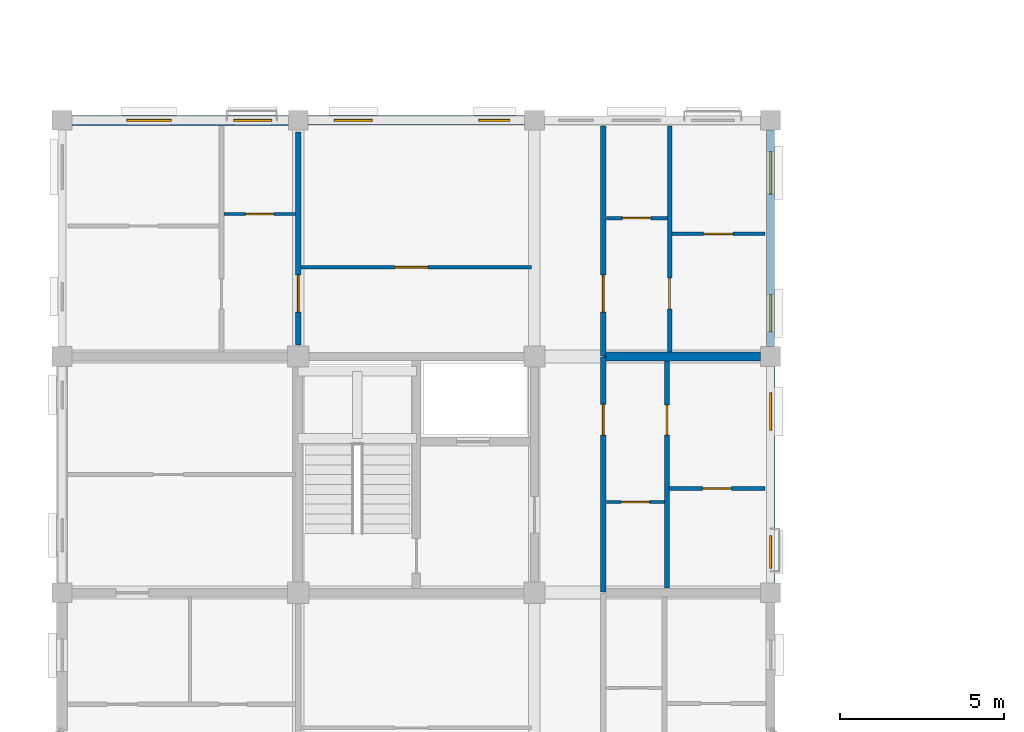
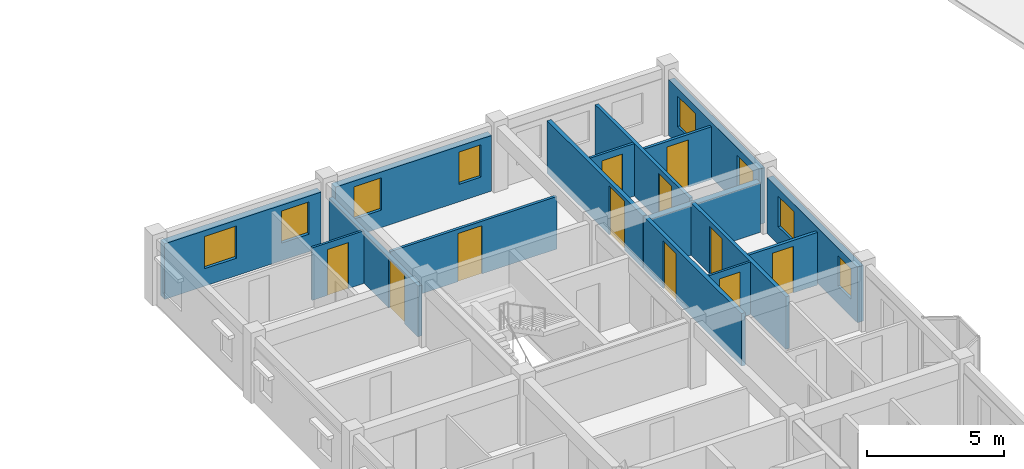
# One storey, part 98 of 124: 16 walls, 11 doors, 8 windows, 19 openings.
"""IFC4 building model written with IfcOpenShell, lengths in metres."""

from ifc_helpers import new_model, si_unit, direction, frame, frame_2d, origin, place, context, subcontext, project, spatial, rectangle, extrude, material, layer, layer_set, type_object, element, fill, save


model = new_model("IFC4")

# Units and contexts
model_context = context("Model", 3, precision=1e-05, world=origin(), true_north=direction((0.0, 1.0)))
body_context = subcontext(model_context, "Body", "Model", "MODEL_VIEW")
ifc_project = project(units=[si_unit("LENGTHUNIT", "METRE"), si_unit("AREAUNIT", "SQUARE_METRE"), si_unit("VOLUMEUNIT", "CUBIC_METRE"), si_unit("PLANEANGLEUNIT", "RADIAN"), si_unit("MASSUNIT", "GRAM", prefix="KILO"), si_unit("THERMODYNAMICTEMPERATUREUNIT", "KELVIN"), si_unit("POWERUNIT", "WATT")], contexts=[model_context])

# Site, building, storey
site_placement = place(None, origin())
site = spatial("IfcSite", under=ifc_project, at=site_placement, CompositionType="ELEMENT")
building_placement = place(site_placement, origin())
building = spatial("IfcBuilding", under=site, at=building_placement, Name="Tavuni Mirador Residences", CompositionType="ELEMENT")
storey_placement = place(building_placement, frame((0.0, 0.0, 7.64990234375)))
storey = spatial("IfcBuildingStorey", under=building, at=storey_placement, Name="L02", CompositionType="ELEMENT", Elevation=7.64990234375)

# Wall, opening, door
ifc_material_1 = material(Name="Precast concrete C40/50", Category="concrete")
ifc_layer_1 = layer(ifc_material_1, 0.1650390625, Name="Precast concrete C40/50", Category="concrete")
ifc_layer_set_1 = layer_set([ifc_layer_1], Name="Precast concrete C40/50")
wall_type_1 = type_object("IfcWallType", Name="WT-CORR165", PredefinedType="PARTITIONING", material=ifc_layer_set_1)
wall_1_placement = place(storey_placement, frame((20.10009765625, 86.419921875, 0.0), z_axis=(0.0, 0.0, 1.0), x_axis=(0.0, 1.0, 0.0)))
wall_1 = element("IfcWall", 1, at=wall_1_placement, inside=storey, type_object=wall_type_1, Name="CORW-BLK-B-L02-0-03", PredefinedType="PARTITIONING", context=body_context, shape_type="SweptSolid", body=[
    extrude(rectangle(XDim=7.16015625, YDim=0.1650390625, at=frame_2d((3.580078125, 0.0))), origin(), (0.0, 0.0, 1.0), 2.34521484375),
])
opening_1_placement = place(wall_1_placement, frame((4.780029296875, 0.0, 0.0)))
opening_1 = element("IfcOpeningElement", 2, at=opening_1_placement, cuts=wall_1, Name="Opening D-19", PredefinedType="OPENING", context=body_context, shape_type="SweptSolid", body=[
    extrude(rectangle(XDim=0.93994140625, YDim=2.1201171875, at=frame_2d((0.469970703125, 1.06005859375))), frame((0.0, 0.092529296875, 0.0), z_axis=(0.0, -1.0, 0.0), x_axis=(1.0, 0.0, 0.0)), (0.0, 0.0, 1.0), 0.18505859375),
])
ifc_material_2 = material(Name="Solid core iroko timber", Category="wood")
door_type_1 = type_object("IfcDoorType", Name="DT-FD60-940", OperationType="NOTDEFINED", PredefinedType="DOOR", material=ifc_material_2)
door_1_placement = place(opening_1_placement, origin())
door_1 = element("IfcDoor", 3, at=door_1_placement, inside=storey, type_object=door_type_1, Name="DR-2548", OperationType="SINGLE_SWING_LEFT", OverallHeight=2.1201171875, OverallWidth=0.93994140625, PredefinedType="DOOR", context=body_context, shape_type="SweptSolid", body=[
    extrude(rectangle(XDim=0.93994140625, YDim=2.1201171875, at=frame_2d((0.469970703125, 1.06005859375))), frame((0.0, 0.02490234375, 0.0), z_axis=(0.0, -1.0, 0.0), x_axis=(1.0, 0.0, 0.0)), (0.0, 0.0, 1.0), 0.050048828125),
])
fill(opening_1, door_1)

wall_2_placement = place(storey_placement, frame((20.10009765625, 93.6201171875, 0.0), z_axis=(0.0, 0.0, 1.0), x_axis=(0.0, 1.0, 0.0)))
wall_2 = element("IfcWall", 4, at=wall_2_placement, inside=storey, type_object=wall_type_1, Name="CORW-BLK-B-L02-0-04", PredefinedType="PARTITIONING", context=body_context, shape_type="SweptSolid", body=[
    extrude(rectangle(XDim=7.0048828125, YDim=0.1650390625, at=frame_2d((3.50244140625, 0.0))), origin(), (0.0, 0.0, 1.0), 2.34521484375),
])
opening_2_placement = place(wall_2_placement, frame((1.330078125, 0.0, 0.0)))
opening_2 = element("IfcOpeningElement", 5, at=opening_2_placement, cuts=wall_2, Name="Opening D-20", PredefinedType="OPENING", context=body_context, shape_type="SweptSolid", body=[
    extrude(rectangle(XDim=1.139892578125, YDim=2.179931640625, at=frame_2d((0.56982421875, 1.08984375))), frame((0.0, 0.092529296875, 0.0), z_axis=(0.0, -1.0, 0.0), x_axis=(1.0, 0.0, 0.0)), (0.0, 0.0, 1.0), 0.18505859375),
])
door_type_2 = type_object("IfcDoorType", Name="DT-FD60-1140", OperationType="NOTDEFINED", PredefinedType="DOOR", material=ifc_material_2)
door_2_placement = place(opening_2_placement, origin())
door_2 = element("IfcDoor", 6, at=door_2_placement, inside=storey, type_object=door_type_2, Name="DR-2549", OperationType="SINGLE_SWING_RIGHT", OverallHeight=2.179931640625, OverallWidth=1.139892578125, PredefinedType="DOOR", context=body_context, shape_type="SweptSolid", body=[
    extrude(rectangle(XDim=1.139892578125, YDim=2.179931640625, at=frame_2d((0.56982421875, 1.08984375))), frame((0.0, 0.02490234375, 0.0), z_axis=(0.0, -1.0, 0.0), x_axis=(1.0, 0.0, 0.0)), (0.0, 0.0, 1.0), 0.050048828125),
])
fill(opening_2, door_2)

wall_3_placement = place(storey_placement, frame((10.800048828125, 93.949951171875, 0.0), z_axis=(0.0, 0.0, 1.0), x_axis=(0.0, 1.0, 0.0)))
wall_3 = element("IfcWall", 7, at=wall_3_placement, inside=storey, type_object=wall_type_1, Name="CORW-BLK-B-L02-1-04", PredefinedType="PARTITIONING", context=body_context, shape_type="SweptSolid", body=[
    extrude(rectangle(XDim=6.5, YDim=0.1650390625, at=frame_2d((3.25, 0.0))), origin(), (0.0, 0.0, 1.0), 2.260009765625),
])
opening_3_placement = place(wall_3_placement, frame((1.0, 0.0, 0.0)))
opening_3 = element("IfcOpeningElement", 8, at=opening_3_placement, cuts=wall_3, Name="Opening D-20", PredefinedType="OPENING", context=body_context, shape_type="SweptSolid", body=[
    extrude(rectangle(XDim=1.139892578125, YDim=2.179931640625, at=frame_2d((0.56982421875, 1.08984375))), frame((0.0, 0.092529296875, 0.0), z_axis=(0.0, -1.0, 0.0), x_axis=(1.0, 0.0, 0.0)), (0.0, 0.0, 1.0), 0.18505859375),
])
door_3_placement = place(opening_3_placement, origin())
door_3 = element("IfcDoor", 9, at=door_3_placement, inside=storey, type_object=door_type_2, Name="DR-2552", OperationType="SINGLE_SWING_LEFT", OverallHeight=2.179931640625, OverallWidth=1.139892578125, PredefinedType="DOOR", context=body_context, shape_type="SweptSolid", body=[
    extrude(rectangle(XDim=1.139892578125, YDim=2.179931640625, at=frame_2d((0.56982421875, 1.08984375))), frame((0.0, 0.02490234375, 0.0), z_axis=(0.0, -1.0, 0.0), x_axis=(1.0, 0.0, 0.0)), (0.0, 0.0, 1.0), 0.050048828125),
])
fill(opening_3, door_3)

# Wall, openings, windows
ifc_material_3 = material(Name="Sgraffito lime-rendered precast concrete C40/50", Category="concrete")
ifc_layer_2 = layer(ifc_material_3, 0.2451171875, Name="Sgraffito lime-rendered precast concrete C40/50", Category="concrete")
ifc_layer_set_2 = layer_set([ifc_layer_2], Name="Sgraffito lime-rendered precast concrete C40/50")
wall_type_2 = type_object("IfcWallType", Name="WT-EXT-PC245", PredefinedType="SOLIDWALL", material=ifc_layer_set_2)
wall_4_placement = place(storey_placement, frame((25.199951171875, 93.89990234375, 0.0), z_axis=(0.0, 0.0, 1.0), x_axis=(0.0, 1.0, 0.0)))
wall_4 = element("IfcWall", 10, at=wall_4_placement, inside=storey, type_object=wall_type_2, Name="EW-BLK-B-L02-E04", PredefinedType="SOLIDWALL", context=body_context, shape_type="SweptSolid", body=[
    extrude(rectangle(XDim=6.60009765625, YDim=0.2451171875, at=frame_2d((3.300048828125, 0.0))), origin(), (0.0, 0.0, 1.0), 2.47998046875),
])
opening_4_placement = place(wall_4_placement, frame((0.449951171875, 0.0, 0.780029296875)))
opening_4 = element("IfcOpeningElement", 11, at=opening_4_placement, cuts=wall_4, Name="Opening WN-20", PredefinedType="OPENING", context=body_context, shape_type="SweptSolid", body=[
    extrude(rectangle(XDim=1.139892578125, YDim=1.360107421875, at=frame_2d((0.56982421875, 0.68017578125))), frame((0.0, 0.132568359375, 0.0), z_axis=(0.0, -1.0, 0.0), x_axis=(1.0, 0.0, 0.0)), (0.0, 0.0, 1.0), 0.26513671875),
])
opening_5_placement = place(wall_4_placement, frame((4.64990234375, 0.0, 0.780029296875)))
opening_5 = element("IfcOpeningElement", 12, at=opening_5_placement, cuts=wall_4, Name="Opening WN-22", PredefinedType="OPENING", context=body_context, shape_type="SweptSolid", body=[
    extrude(rectangle(XDim=1.300048828125, YDim=1.360107421875, at=frame_2d((0.64990234375, 0.68017578125))), frame((0.0, 0.132568359375, 0.0), z_axis=(0.0, -1.0, 0.0), x_axis=(1.0, 0.0, 0.0)), (0.0, 0.0, 1.0), 0.26513671875),
])
ifc_material_4 = material(Name="Laminated solar-control glass", Category="glass")
window_type_1 = type_object("IfcWindowType", Name="WNT-20", PartitioningType="SINGLE_PANEL", PredefinedType="WINDOW", material=ifc_material_4)
window_1_placement = place(opening_4_placement, origin())
window_1 = element("IfcWindow", 13, at=window_1_placement, inside=storey, type_object=window_type_1, Name="WIN-0617", OverallHeight=1.360107421875, OverallWidth=1.139892578125, PartitioningType="SINGLE_PANEL", PredefinedType="WINDOW", context=body_context, shape_type="SweptSolid", body=[
    extrude(rectangle(XDim=1.139892578125, YDim=1.360107421875, at=frame_2d((0.56982421875, 0.68017578125))), frame((0.0, 0.030029296875, 0.0), z_axis=(0.0, -1.0, 0.0), x_axis=(1.0, 0.0, 0.0)), (0.0, 0.0, 1.0), 0.06005859375),
])
fill(opening_4, window_1)
window_type_2 = type_object("IfcWindowType", Name="WNT-22", PartitioningType="SINGLE_PANEL", PredefinedType="WINDOW", material=ifc_material_4)
window_2_placement = place(opening_5_placement, origin())
window_2 = element("IfcWindow", 14, at=window_2_placement, inside=storey, type_object=window_type_2, Name="WIN-0618", OverallHeight=1.360107421875, OverallWidth=1.300048828125, PartitioningType="SINGLE_PANEL", PredefinedType="WINDOW", context=body_context, shape_type="SweptSolid", body=[
    extrude(rectangle(XDim=1.300048828125, YDim=1.360107421875, at=frame_2d((0.64990234375, 0.68017578125))), frame((0.0, 0.030029296875, 0.0), z_axis=(0.0, -1.0, 0.0), x_axis=(1.0, 0.0, 0.0)), (0.0, 0.0, 1.0), 0.06005859375),
])
fill(opening_5, window_2)

ifc_layer_3 = layer(ifc_material_3, 0.2548828125, Name="Sgraffito lime-rendered precast concrete C40/50", Category="concrete")
ifc_layer_set_3 = layer_set([ifc_layer_3], Name="Sgraffito lime-rendered precast concrete C40/50")
wall_type_3 = type_object("IfcWallType", Name="WT-EXT-PC255", PredefinedType="SOLIDWALL", material=ifc_layer_set_3)
wall_5_placement = place(storey_placement, frame((25.199951171875, 86.699951171875, 0.0), z_axis=(0.0, 0.0, 1.0), x_axis=(0.0, 1.0, 0.0)))
wall_5 = element("IfcWall", 15, at=wall_5_placement, inside=storey, type_object=wall_type_3, Name="EW-BLK-B-L02-E03", PredefinedType="SOLIDWALL", context=body_context, shape_type="SweptSolid", body=[
    extrude(rectangle(XDim=6.60009765625, YDim=0.2548828125, at=frame_2d((3.300048828125, 0.0))), origin(), (0.0, 0.0, 1.0), 2.47998046875),
])
opening_6_placement = place(wall_5_placement, frame((0.449951171875, 0.0, 0.780029296875)))
opening_6 = element("IfcOpeningElement", 16, at=opening_6_placement, cuts=wall_5, Name="Opening WN-18", PredefinedType="OPENING", context=body_context, shape_type="SweptSolid", body=[
    extrude(rectangle(XDim=0.97998046875, YDim=1.360107421875, at=frame_2d((0.489990234375, 0.68017578125))), frame((0.0, 0.137451171875, 0.0), z_axis=(0.0, -1.0, 0.0), x_axis=(1.0, 0.0, 0.0)), (0.0, 0.0, 1.0), 0.27490234375),
])
opening_7_placement = place(wall_5_placement, frame((4.64990234375, 0.0, 0.780029296875)))
opening_7 = element("IfcOpeningElement", 17, at=opening_7_placement, cuts=wall_5, Name="Opening WN-20", PredefinedType="OPENING", context=body_context, shape_type="SweptSolid", body=[
    extrude(rectangle(XDim=1.139892578125, YDim=1.360107421875, at=frame_2d((0.56982421875, 0.68017578125))), frame((0.0, 0.137451171875, 0.0), z_axis=(0.0, -1.0, 0.0), x_axis=(1.0, 0.0, 0.0)), (0.0, 0.0, 1.0), 0.27490234375),
])
window_type_3 = type_object("IfcWindowType", Name="WNT-18", PartitioningType="SINGLE_PANEL", PredefinedType="WINDOW", material=ifc_material_4)
window_3_placement = place(opening_6_placement, origin())
window_3 = element("IfcWindow", 18, at=window_3_placement, inside=storey, type_object=window_type_3, Name="WIN-0615", OverallHeight=1.360107421875, OverallWidth=0.97998046875, PartitioningType="SINGLE_PANEL", PredefinedType="WINDOW", context=body_context, shape_type="SweptSolid", body=[
    extrude(rectangle(XDim=0.97998046875, YDim=1.360107421875, at=frame_2d((0.489990234375, 0.68017578125))), frame((0.0, 0.030029296875, 0.0), z_axis=(0.0, -1.0, 0.0), x_axis=(1.0, 0.0, 0.0)), (0.0, 0.0, 1.0), 0.06005859375),
])
fill(opening_6, window_3)
window_4_placement = place(opening_7_placement, origin())
window_4 = element("IfcWindow", 19, at=window_4_placement, inside=storey, type_object=window_type_1, Name="WIN-0616", OverallHeight=1.360107421875, OverallWidth=1.139892578125, PartitioningType="SINGLE_PANEL", PredefinedType="WINDOW", context=body_context, shape_type="SweptSolid", body=[
    extrude(rectangle(XDim=1.139892578125, YDim=1.360107421875, at=frame_2d((0.56982421875, 0.68017578125))), frame((0.0, 0.030029296875, 0.0), z_axis=(0.0, -1.0, 0.0), x_axis=(1.0, 0.0, 0.0)), (0.0, 0.0, 1.0), 0.06005859375),
])
fill(opening_7, window_4)

ifc_layer_4 = layer(ifc_material_3, 0.2900390625, Name="Sgraffito lime-rendered precast concrete C40/50", Category="concrete")
ifc_layer_set_4 = layer_set([ifc_layer_4], Name="Sgraffito lime-rendered precast concrete C40/50")
wall_type_4 = type_object("IfcWallType", Name="WT-EXT-PC290", PredefinedType="SOLIDWALL", material=ifc_layer_set_4)
wall_6_placement = place(storey_placement, frame((17.699951171875, 100.800048828125, 0.0), z_axis=(0.0, 0.0, 1.0), x_axis=(-1.0, 0.0, 0.0)))
wall_6 = element("IfcWall", 20, at=wall_6_placement, inside=storey, type_object=wall_type_4, Name="EW-BLK-B-L02-N01", PredefinedType="SOLIDWALL", context=body_context, shape_type="SweptSolid", body=[
    extrude(rectangle(XDim=6.599853515625, YDim=0.2900390625, at=frame_2d((3.2998046875, 0.0))), origin(), (0.0, 0.0, 1.0), 2.47998046875),
])
opening_8_placement = place(wall_6_placement, frame((0.449951171875, 0.0, 0.780029296875)))
opening_8 = element("IfcOpeningElement", 21, at=opening_8_placement, cuts=wall_6, Name="Opening WN-25", PredefinedType="OPENING", context=body_context, shape_type="SweptSolid", body=[
    extrude(rectangle(XDim=0.93994140625, YDim=1.43994140625, at=frame_2d((0.469970703125, 0.719970703125))), frame((0.0, 0.155029296875, 0.0), z_axis=(0.0, -1.0, 0.0), x_axis=(1.0, 0.0, 0.0)), (0.0, 0.0, 1.0), 0.31005859375),
])
opening_9_placement = place(wall_6_placement, frame((4.64990234375, 0.0, 0.780029296875)))
opening_9 = element("IfcOpeningElement", 22, at=opening_9_placement, cuts=wall_6, Name="Opening WN-27", PredefinedType="OPENING", context=body_context, shape_type="SweptSolid", body=[
    extrude(rectangle(XDim=1.14990234375, YDim=1.43994140625, at=frame_2d((0.574951171875, 0.719970703125))), frame((0.0, 0.155029296875, 0.0), z_axis=(0.0, -1.0, 0.0), x_axis=(1.0, 0.0, 0.0)), (0.0, 0.0, 1.0), 0.31005859375),
])
window_type_4 = type_object("IfcWindowType", Name="WNT-25", PartitioningType="SINGLE_PANEL", PredefinedType="WINDOW", material=ifc_material_4)
window_5_placement = place(opening_8_placement, origin())
window_5 = element("IfcWindow", 23, at=window_5_placement, inside=storey, type_object=window_type_4, Name="WIN-0622", OverallHeight=1.43994140625, OverallWidth=0.93994140625, PartitioningType="SINGLE_PANEL", PredefinedType="WINDOW", context=body_context, shape_type="SweptSolid", body=[
    extrude(rectangle(XDim=0.93994140625, YDim=1.43994140625, at=frame_2d((0.469970703125, 0.719970703125))), frame((0.0, 0.030029296875, 0.0), z_axis=(0.0, -1.0, 0.0), x_axis=(1.0, 0.0, 0.0)), (0.0, 0.0, 1.0), 0.06005859375),
])
fill(opening_8, window_5)
window_type_5 = type_object("IfcWindowType", Name="WNT-27", PartitioningType="SINGLE_PANEL", PredefinedType="WINDOW", material=ifc_material_4)
window_6_placement = place(opening_9_placement, origin())
window_6 = element("IfcWindow", 24, at=window_6_placement, inside=storey, type_object=window_type_5, Name="WIN-0623", OverallHeight=1.43994140625, OverallWidth=1.14990234375, PartitioningType="SINGLE_PANEL", PredefinedType="WINDOW", context=body_context, shape_type="SweptSolid", body=[
    extrude(rectangle(XDim=1.14990234375, YDim=1.43994140625, at=frame_2d((0.574951171875, 0.719970703125))), frame((0.0, 0.030029296875, 0.0), z_axis=(0.0, -1.0, 0.0), x_axis=(1.0, 0.0, 0.0)), (0.0, 0.0, 1.0), 0.06005859375),
])
fill(opening_9, window_6)

ifc_layer_5 = layer(ifc_material_3, 0.304931640625, Name="Sgraffito lime-rendered precast concrete C40/50", Category="concrete")
ifc_layer_set_5 = layer_set([ifc_layer_5], Name="Sgraffito lime-rendered precast concrete C40/50")
wall_type_5 = type_object("IfcWallType", Name="WT-EXT-PC305", PredefinedType="SOLIDWALL", material=ifc_layer_set_5)
wall_7_placement = place(storey_placement, frame((10.5, 100.800048828125, 0.0), z_axis=(0.0, 0.0, 1.0), x_axis=(-1.0, 0.0, 0.0)))
wall_7 = element("IfcWall", 25, at=wall_7_placement, inside=storey, type_object=wall_type_5, Name="EW-BLK-B-L02-N00", PredefinedType="SOLIDWALL", context=body_context, shape_type="SweptSolid", body=[
    extrude(rectangle(XDim=6.60009765625, YDim=0.304931640625, at=frame_2d((3.300048828125, 0.0))), origin(), (0.0, 0.0, 1.0), 2.47998046875),
])
opening_10_placement = place(wall_7_placement, frame((0.514892578125, 0.0, 0.780029296875)))
opening_10 = element("IfcOpeningElement", 26, at=opening_10_placement, cuts=wall_7, Name="Opening WN-27", PredefinedType="OPENING", context=body_context, shape_type="SweptSolid", body=[
    extrude(rectangle(XDim=1.14990234375, YDim=1.43994140625, at=frame_2d((0.574951171875, 0.719970703125))), frame((0.0, 0.16259765625, 0.0), z_axis=(0.0, -1.0, 0.0), x_axis=(1.0, 0.0, 0.0)), (0.0, 0.0, 1.0), 0.324951171875),
])
opening_11_placement = place(wall_7_placement, frame((3.574951171875, 0.0, 0.780029296875)))
opening_11 = element("IfcOpeningElement", 27, at=opening_11_placement, cuts=wall_7, Name="Opening WN-29", PredefinedType="OPENING", context=body_context, shape_type="SweptSolid", body=[
    extrude(rectangle(XDim=1.35009765625, YDim=1.43994140625, at=frame_2d((0.675048828125, 0.719970703125))), frame((0.0, 0.16259765625, 0.0), z_axis=(0.0, -1.0, 0.0), x_axis=(1.0, 0.0, 0.0)), (0.0, 0.0, 1.0), 0.324951171875),
])
window_7_placement = place(opening_10_placement, origin())
window_7 = element("IfcWindow", 28, at=window_7_placement, inside=storey, type_object=window_type_5, Name="WIN-0624", OverallHeight=1.43994140625, OverallWidth=1.14990234375, PartitioningType="SINGLE_PANEL", PredefinedType="WINDOW", context=body_context, shape_type="SweptSolid", body=[
    extrude(rectangle(XDim=1.14990234375, YDim=1.43994140625, at=frame_2d((0.574951171875, 0.719970703125))), frame((0.0, 0.030029296875, 0.0), z_axis=(0.0, -1.0, 0.0), x_axis=(1.0, 0.0, 0.0)), (0.0, 0.0, 1.0), 0.06005859375),
])
fill(opening_10, window_7)
window_type_6 = type_object("IfcWindowType", Name="WNT-29", PartitioningType="SINGLE_PANEL", PredefinedType="WINDOW", material=ifc_material_4)
window_8_placement = place(opening_11_placement, origin())
window_8 = element("IfcWindow", 29, at=window_8_placement, inside=storey, type_object=window_type_6, Name="WIN-0625", OverallHeight=1.43994140625, OverallWidth=1.35009765625, PartitioningType="SINGLE_PANEL", PredefinedType="WINDOW", context=body_context, shape_type="SweptSolid", body=[
    extrude(rectangle(XDim=1.35009765625, YDim=1.43994140625, at=frame_2d((0.675048828125, 0.719970703125))), frame((0.0, 0.030029296875, 0.0), z_axis=(0.0, -1.0, 0.0), x_axis=(1.0, 0.0, 0.0)), (0.0, 0.0, 1.0), 0.06005859375),
])
fill(opening_11, window_8)

# Wall, opening, door
ifc_material_5 = material(Name="Acoustic gypsum and concrete block partition", Category="concrete")
ifc_layer_6 = layer(ifc_material_5, 0.094970703125, Name="Acoustic gypsum and concrete block partition", Category="concrete")
ifc_layer_set_6 = layer_set([ifc_layer_6], Name="Acoustic gypsum and concrete block partition")
wall_type_6 = type_object("IfcWallType", Name="WT-PART095", PredefinedType="PARTITIONING", material=ifc_layer_set_6)
wall_8_placement = place(storey_placement, frame((20.18994140625, 89.159912109375, 0.0), z_axis=(0.0, 0.0, 1.0), x_axis=(1.0, 0.0, 0.0)))
wall_8 = element("IfcWall", 30, at=wall_8_placement, inside=storey, type_object=wall_type_6, Name="PW-BLK-B-L02-E03-IN1", PredefinedType="PARTITIONING", context=body_context, shape_type="SweptSolid", body=[
    extrude(rectangle(XDim=1.780029296875, YDim=0.094970703125, at=frame_2d((0.89013671875, 0.0))), origin(), (0.0, 0.0, 1.0), 2.34521484375),
])
opening_12_placement = place(wall_8_placement, frame((0.455078125, 0.0, 0.0)))
opening_12 = element("IfcOpeningElement", 31, at=opening_12_placement, cuts=wall_8, Name="Opening D-10", PredefinedType="OPENING", context=body_context, shape_type="SweptSolid", body=[
    extrude(rectangle(XDim=0.8701171875, YDim=2.050048828125, at=frame_2d((0.43505859375, 1.02490234375))), frame((0.0, 0.0576171875, 0.0), z_axis=(0.0, -1.0, 0.0), x_axis=(1.0, 0.0, 0.0)), (0.0, 0.0, 1.0), 0.114990234375),
])
door_type_3 = type_object("IfcDoorType", Name="DT-WC870", OperationType="NOTDEFINED", PredefinedType="DOOR", material=ifc_material_2)
door_4_placement = place(opening_12_placement, origin())
door_4 = element("IfcDoor", 32, at=door_4_placement, inside=storey, type_object=door_type_3, Name="DR-3492", OperationType="SINGLE_SWING_LEFT", OverallHeight=2.050048828125, OverallWidth=0.8701171875, PredefinedType="DOOR", context=body_context, shape_type="SweptSolid", body=[
    extrude(rectangle(XDim=0.8701171875, YDim=2.050048828125, at=frame_2d((0.43505859375, 1.02490234375))), frame((0.0, 0.02490234375, 0.0), z_axis=(0.0, -1.0, 0.0), x_axis=(1.0, 0.0, 0.0)), (0.0, 0.0, 1.0), 0.050048828125),
])
fill(opening_12, door_4)

wall_9_placement = place(storey_placement, frame((8.530029296875, 97.93994140625, 0.0), z_axis=(0.0, 0.0, 1.0), x_axis=(1.0, 0.0, 0.0)))
wall_9 = element("IfcWall", 33, at=wall_9_placement, inside=storey, type_object=wall_type_6, Name="PW-BLK-B-L02-W04-IN1", PredefinedType="PARTITIONING", context=body_context, shape_type="SweptSolid", body=[
    extrude(rectangle(XDim=2.179931640625, YDim=0.094970703125, at=frame_2d((1.08984375, 0.0))), origin(), (0.0, 0.0, 1.0), 2.34521484375),
])
opening_13_placement = place(wall_9_placement, frame((0.655029296875, 0.0, 0.0)))
opening_13 = element("IfcOpeningElement", 34, at=opening_13_placement, cuts=wall_9, Name="Opening D-10", PredefinedType="OPENING", context=body_context, shape_type="SweptSolid", body=[
    extrude(rectangle(XDim=0.8701171875, YDim=2.050048828125, at=frame_2d((0.43505859375, 1.02490234375))), frame((0.0, 0.0576171875, 0.0), z_axis=(0.0, -1.0, 0.0), x_axis=(1.0, 0.0, 0.0)), (0.0, 0.0, 1.0), 0.114990234375),
])
door_5_placement = place(opening_13_placement, origin())
door_5 = element("IfcDoor", 35, at=door_5_placement, inside=storey, type_object=door_type_3, Name="DR-3496", OperationType="SINGLE_SWING_LEFT", OverallHeight=2.050048828125, OverallWidth=0.8701171875, PredefinedType="DOOR", context=body_context, shape_type="SweptSolid", body=[
    extrude(rectangle(XDim=0.8701171875, YDim=2.050048828125, at=frame_2d((0.43505859375, 1.02490234375))), frame((0.0, 0.02490234375, 0.0), z_axis=(0.0, -1.0, 0.0), x_axis=(1.0, 0.0, 0.0)), (0.0, 0.0, 1.0), 0.050048828125),
])
fill(opening_13, door_5)

ifc_layer_7 = layer(ifc_material_5, 0.10498046875, Name="Acoustic gypsum and concrete block partition", Category="concrete")
ifc_layer_set_7 = layer_set([ifc_layer_7], Name="Acoustic gypsum and concrete block partition")
wall_type_7 = type_object("IfcWallType", Name="WT-PART105", PredefinedType="PARTITIONING", material=ifc_layer_set_7)
wall_10_placement = place(storey_placement, frame((20.18994140625, 97.820068359375, 0.0), z_axis=(0.0, 0.0, 1.0), x_axis=(1.0, 0.0, 0.0)))
wall_10 = element("IfcWall", 36, at=wall_10_placement, inside=storey, type_object=wall_type_7, Name="PW-BLK-B-L02-E04-IN1", PredefinedType="PARTITIONING", context=body_context, shape_type="SweptSolid", body=[
    extrude(rectangle(XDim=1.860107421875, YDim=0.10498046875, at=frame_2d((0.93017578125, 0.0))), origin(), (0.0, 0.0, 1.0), 2.34521484375),
])
opening_14_placement = place(wall_10_placement, frame((0.4951171875, 0.0, 0.0)))
opening_14 = element("IfcOpeningElement", 37, at=opening_14_placement, cuts=wall_10, Name="Opening D-10", PredefinedType="OPENING", context=body_context, shape_type="SweptSolid", body=[
    extrude(rectangle(XDim=0.8701171875, YDim=2.050048828125, at=frame_2d((0.43505859375, 1.02490234375))), frame((0.0, 0.0625, 0.0), z_axis=(0.0, -1.0, 0.0), x_axis=(1.0, 0.0, 0.0)), (0.0, 0.0, 1.0), 0.125),
])
door_6_placement = place(opening_14_placement, origin())
door_6 = element("IfcDoor", 38, at=door_6_placement, inside=storey, type_object=door_type_3, Name="DR-3499", OperationType="SINGLE_SWING_RIGHT", OverallHeight=2.050048828125, OverallWidth=0.8701171875, PredefinedType="DOOR", context=body_context, shape_type="SweptSolid", body=[
    extrude(rectangle(XDim=0.8701171875, YDim=2.050048828125, at=frame_2d((0.43505859375, 1.02490234375))), frame((0.0, 0.02490234375, 0.0), z_axis=(0.0, -1.0, 0.0), x_axis=(1.0, 0.0, 0.0)), (0.0, 0.0, 1.0), 0.050048828125),
])
fill(opening_14, door_6)

ifc_layer_8 = layer(ifc_material_5, 0.114990234375, Name="Acoustic gypsum and concrete block partition", Category="concrete")
ifc_layer_set_8 = layer_set([ifc_layer_8], Name="Acoustic gypsum and concrete block partition")
wall_type_8 = type_object("IfcWallType", Name="WT-PART115", PredefinedType="PARTITIONING", material=ifc_layer_set_8)
wall_11_placement = place(storey_placement, frame((10.889892578125, 96.320068359375, 0.0), z_axis=(0.0, 0.0, 1.0), x_axis=(1.0, 0.0, 0.0)))
wall_11 = element("IfcWall", 39, at=wall_11_placement, inside=storey, type_object=wall_type_8, Name="PW-SPN-BLK-B-L02-04", PredefinedType="PARTITIONING", context=body_context, shape_type="SweptSolid", body=[
    extrude(rectangle(XDim=7.02001953125, YDim=0.114990234375, at=frame_2d((3.510009765625, 0.0))), origin(), (0.0, 0.0, 1.0), 2.34521484375),
])
opening_15_placement = place(wall_11_placement, frame((2.85009765625, 0.0, 0.0)))
opening_15 = element("IfcOpeningElement", 40, at=opening_15_placement, cuts=wall_11, Name="Opening D-13", PredefinedType="OPENING", context=body_context, shape_type="SweptSolid", body=[
    extrude(rectangle(XDim=1.02001953125, YDim=2.14990234375, at=frame_2d((0.510009765625, 1.074951171875))), frame((0.0, 0.0673828125, 0.0), z_axis=(0.0, -1.0, 0.0), x_axis=(1.0, 0.0, 0.0)), (0.0, 0.0, 1.0), 0.135009765625),
])
door_type_4 = type_object("IfcDoorType", Name="DT-MTG1020", OperationType="NOTDEFINED", PredefinedType="DOOR", material=ifc_material_2)
door_7_placement = place(opening_15_placement, origin())
door_7 = element("IfcDoor", 41, at=door_7_placement, inside=storey, type_object=door_type_4, Name="DR-3494", OperationType="SINGLE_SWING_LEFT", OverallHeight=2.14990234375, OverallWidth=1.02001953125, PredefinedType="DOOR", context=body_context, shape_type="SweptSolid", body=[
    extrude(rectangle(XDim=1.02001953125, YDim=2.14990234375, at=frame_2d((0.510009765625, 1.074951171875))), frame((0.0, 0.02490234375, 0.0), z_axis=(0.0, -1.0, 0.0), x_axis=(1.0, 0.0, 0.0)), (0.0, 0.0, 1.0), 0.050048828125),
])
fill(opening_15, door_7)

wall_12_placement = place(storey_placement, frame((22.18994140625, 97.340087890625, 0.0), z_axis=(0.0, 0.0, 1.0), x_axis=(1.0, 0.0, 0.0)))
wall_12 = element("IfcWall", 42, at=wall_12_placement, inside=storey, type_object=wall_type_8, Name="PW-BLK-B-L02-E04-OUT", PredefinedType="PARTITIONING", context=body_context, shape_type="SweptSolid", body=[
    extrude(rectangle(XDim=2.8349609375, YDim=0.114990234375, at=frame_2d((1.41748046875, 0.0))), origin(), (0.0, 0.0, 1.0), 2.34521484375),
])
opening_16_placement = place(wall_12_placement, frame((0.967529296875, 0.0, 0.0)))
opening_16 = element("IfcOpeningElement", 43, at=opening_16_placement, cuts=wall_12, Name="Opening D-07", PredefinedType="OPENING", context=body_context, shape_type="SweptSolid", body=[
    extrude(rectangle(XDim=0.89990234375, YDim=2.10009765625, at=frame_2d((0.449951171875, 1.050048828125))), frame((0.0, 0.0673828125, 0.0), z_axis=(0.0, -1.0, 0.0), x_axis=(1.0, 0.0, 0.0)), (0.0, 0.0, 1.0), 0.135009765625),
])
door_type_5 = type_object("IfcDoorType", Name="DT-BED900", OperationType="NOTDEFINED", PredefinedType="DOOR", material=ifc_material_2)
door_8_placement = place(opening_16_placement, origin())
door_8 = element("IfcDoor", 44, at=door_8_placement, inside=storey, type_object=door_type_5, Name="DR-3498", OperationType="SINGLE_SWING_LEFT", OverallHeight=2.10009765625, OverallWidth=0.89990234375, PredefinedType="DOOR", context=body_context, shape_type="SweptSolid", body=[
    extrude(rectangle(XDim=0.89990234375, YDim=2.10009765625, at=frame_2d((0.449951171875, 1.050048828125))), frame((0.0, 0.02490234375, 0.0), z_axis=(0.0, -1.0, 0.0), x_axis=(1.0, 0.0, 0.0)), (0.0, 0.0, 1.0), 0.050048828125),
])
fill(opening_16, door_8)

ifc_layer_9 = layer(ifc_material_5, 0.125, Name="Acoustic gypsum and concrete block partition", Category="concrete")
ifc_layer_set_9 = layer_set([ifc_layer_9], Name="Acoustic gypsum and concrete block partition")
wall_type_9 = type_object("IfcWallType", Name="WT-PART125", PredefinedType="PARTITIONING", material=ifc_layer_set_9)
wall_13_placement = place(storey_placement, frame((22.110107421875, 89.580078125, 0.0), z_axis=(0.0, 0.0, 1.0), x_axis=(1.0, 0.0, 0.0)))
wall_13 = element("IfcWall", 45, at=wall_13_placement, inside=storey, type_object=wall_type_9, Name="PW-BLK-B-L02-E03-OUT", PredefinedType="PARTITIONING", context=body_context, shape_type="SweptSolid", body=[
    extrude(rectangle(XDim=2.914794921875, YDim=0.125, at=frame_2d((1.45751953125, 0.0))), origin(), (0.0, 0.0, 1.0), 2.34521484375),
])
opening_17_placement = place(wall_13_placement, frame((1.017578125, 0.0, 0.0)))
opening_17 = element("IfcOpeningElement", 46, at=opening_17_placement, cuts=wall_13, Name="Opening D-08", PredefinedType="OPENING", context=body_context, shape_type="SweptSolid", body=[
    extrude(rectangle(XDim=0.8798828125, YDim=2.080078125, at=frame_2d((0.43994140625, 1.0400390625))), frame((0.0, 0.072509765625, 0.0), z_axis=(0.0, -1.0, 0.0), x_axis=(1.0, 0.0, 0.0)), (0.0, 0.0, 1.0), 0.14501953125),
])
door_type_6 = type_object("IfcDoorType", Name="DT-BED880", OperationType="NOTDEFINED", PredefinedType="DOOR", material=ifc_material_2)
door_9_placement = place(opening_17_placement, origin())
door_9 = element("IfcDoor", 47, at=door_9_placement, inside=storey, type_object=door_type_6, Name="DR-3491", OperationType="SINGLE_SWING_RIGHT", OverallHeight=2.080078125, OverallWidth=0.8798828125, PredefinedType="DOOR", context=body_context, shape_type="SweptSolid", body=[
    extrude(rectangle(XDim=0.8798828125, YDim=2.080078125, at=frame_2d((0.43994140625, 1.0400390625))), frame((0.0, 0.02490234375, 0.0), z_axis=(0.0, -1.0, 0.0), x_axis=(1.0, 0.0, 0.0)), (0.0, 0.0, 1.0), 0.050048828125),
])
fill(opening_17, door_9)

ifc_layer_10 = layer(ifc_material_5, 0.139892578125, Name="Acoustic gypsum and concrete block partition", Category="concrete")
ifc_layer_set_10 = layer_set([ifc_layer_10], Name="Acoustic gypsum and concrete block partition")
wall_type_10 = type_object("IfcWallType", Name="WT-PART140", PredefinedType="PARTITIONING", material=ifc_layer_set_10)
wall_14_placement = place(storey_placement, frame((22.1201171875, 93.739990234375, 0.0), z_axis=(0.0, 0.0, 1.0), x_axis=(0.0, 1.0, 0.0)))
wall_14 = element("IfcWall", 48, at=wall_14_placement, inside=storey, type_object=wall_type_10, Name="PW-BLK-B-L02-E04-MID", PredefinedType="PARTITIONING", context=body_context, shape_type="SweptSolid", body=[
    extrude(rectangle(XDim=6.885009765625, YDim=0.139892578125, at=frame_2d((3.4423828125, 0.0))), origin(), (0.0, 0.0, 1.0), 2.34521484375),
])
opening_18_placement = place(wall_14_placement, frame((1.31005859375, 0.0, 0.0)))
opening_18 = element("IfcOpeningElement", 49, at=opening_18_placement, cuts=wall_14, Name="Opening D-05", PredefinedType="OPENING", context=body_context, shape_type="SweptSolid", body=[
    extrude(rectangle(XDim=0.949951171875, YDim=2.10009765625, at=frame_2d((0.47509765625, 1.050048828125))), frame((0.0, 0.080078125, 0.0), z_axis=(0.0, -1.0, 0.0), x_axis=(1.0, 0.0, 0.0)), (0.0, 0.0, 1.0), 0.159912109375),
])
door_type_7 = type_object("IfcDoorType", Name="DT-INT950", OperationType="NOTDEFINED", PredefinedType="DOOR", material=ifc_material_2)
door_10_placement = place(opening_18_placement, origin())
door_10 = element("IfcDoor", 50, at=door_10_placement, inside=storey, type_object=door_type_7, Name="DR-3500", OperationType="SINGLE_SWING_LEFT", OverallHeight=2.10009765625, OverallWidth=0.949951171875, PredefinedType="DOOR", context=body_context, shape_type="SweptSolid", body=[
    extrude(rectangle(XDim=0.949951171875, YDim=2.10009765625, at=frame_2d((0.47509765625, 1.050048828125))), frame((0.0, 0.02490234375, 0.0), z_axis=(0.0, -1.0, 0.0), x_axis=(1.0, 0.0, 0.0)), (0.0, 0.0, 1.0), 0.050048828125),
])
fill(opening_18, door_10)

ifc_layer_11 = layer(ifc_material_5, 0.14990234375, Name="Acoustic gypsum and concrete block partition", Category="concrete")
ifc_layer_set_11 = layer_set([ifc_layer_11], Name="Acoustic gypsum and concrete block partition")
wall_type_11 = type_object("IfcWallType", Name="WT-PART150", PredefinedType="PARTITIONING", material=ifc_layer_set_11)
wall_15_placement = place(storey_placement, frame((22.0400390625, 86.5400390625, 0.0), z_axis=(0.0, 0.0, 1.0), x_axis=(0.0, 1.0, 0.0)))
wall_15 = element("IfcWall", 51, at=wall_15_placement, inside=storey, type_object=wall_type_11, Name="PW-BLK-B-L02-E03-MID", PredefinedType="PARTITIONING", context=body_context, shape_type="SweptSolid", body=[
    extrude(rectangle(XDim=6.919921875, YDim=0.14990234375, at=frame_2d((3.4599609375, 0.0))), origin(), (0.0, 0.0, 1.0), 2.34521484375),
])
opening_19_placement = place(wall_15_placement, frame((4.659912109375, 0.0, 0.0)))
opening_19 = element("IfcOpeningElement", 52, at=opening_19_placement, cuts=wall_15, Name="Opening D-06", PredefinedType="OPENING", context=body_context, shape_type="SweptSolid", body=[
    extrude(rectangle(XDim=0.919921875, YDim=2.10009765625, at=frame_2d((0.4599609375, 1.050048828125))), frame((0.0, 0.0849609375, 0.0), z_axis=(0.0, -1.0, 0.0), x_axis=(1.0, 0.0, 0.0)), (0.0, 0.0, 1.0), 0.169921875),
])
door_type_8 = type_object("IfcDoorType", Name="DT-INT920", OperationType="NOTDEFINED", PredefinedType="DOOR", material=ifc_material_2)
door_11_placement = place(opening_19_placement, origin())
door_11 = element("IfcDoor", 53, at=door_11_placement, inside=storey, type_object=door_type_8, Name="DR-3493", OperationType="SINGLE_SWING_RIGHT", OverallHeight=2.10009765625, OverallWidth=0.919921875, PredefinedType="DOOR", context=body_context, shape_type="SweptSolid", body=[
    extrude(rectangle(XDim=0.919921875, YDim=2.10009765625, at=frame_2d((0.4599609375, 1.050048828125))), frame((0.0, 0.02490234375, 0.0), z_axis=(0.0, -1.0, 0.0), x_axis=(1.0, 0.0, 0.0)), (0.0, 0.0, 1.0), 0.050048828125),
])
fill(opening_19, door_11)

# Wall
ifc_layer_12 = layer(ifc_material_1, 0.264892578125, Name="Precast concrete C40/50", Category="concrete")
ifc_layer_set_12 = layer_set([ifc_layer_12], Name="Precast concrete C40/50")
wall_type_12 = type_object("IfcWallType", Name="WT-XW265", PredefinedType="SOLIDWALL", material=ifc_layer_set_12)
wall_16_placement = place(storey_placement, frame((20.10009765625, 93.60009765625, 0.0), z_axis=(0.0, 0.0, 1.0), x_axis=(1.0, 0.0, 0.0)))
element("IfcWall", 54, at=wall_16_placement, inside=storey, type_object=wall_type_12, Name="XW-BLK-B-L02-E-04", PredefinedType="SOLIDWALL", context=body_context, shape_type="SweptSolid", body=[
    extrude(rectangle(XDim=4.7998046875, YDim=0.264892578125, at=frame_2d((2.39990234375, 0.0))), origin(), (0.0, 0.0, 1.0), 2.210205078125),
])

save(model, "model.ifc")
